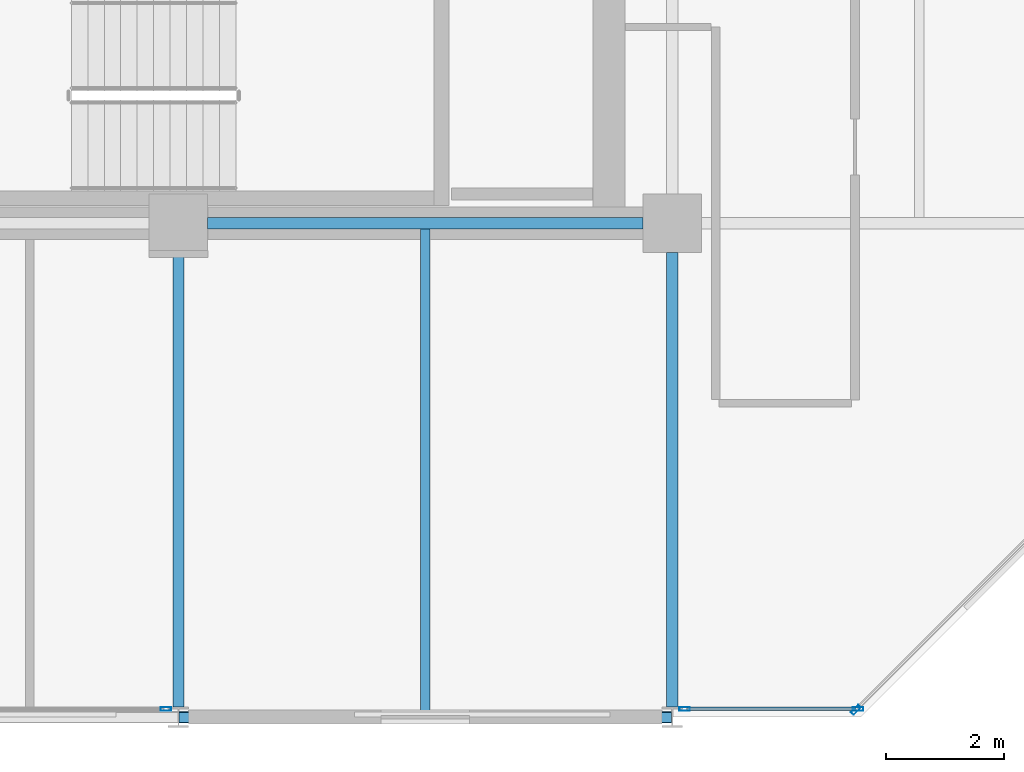
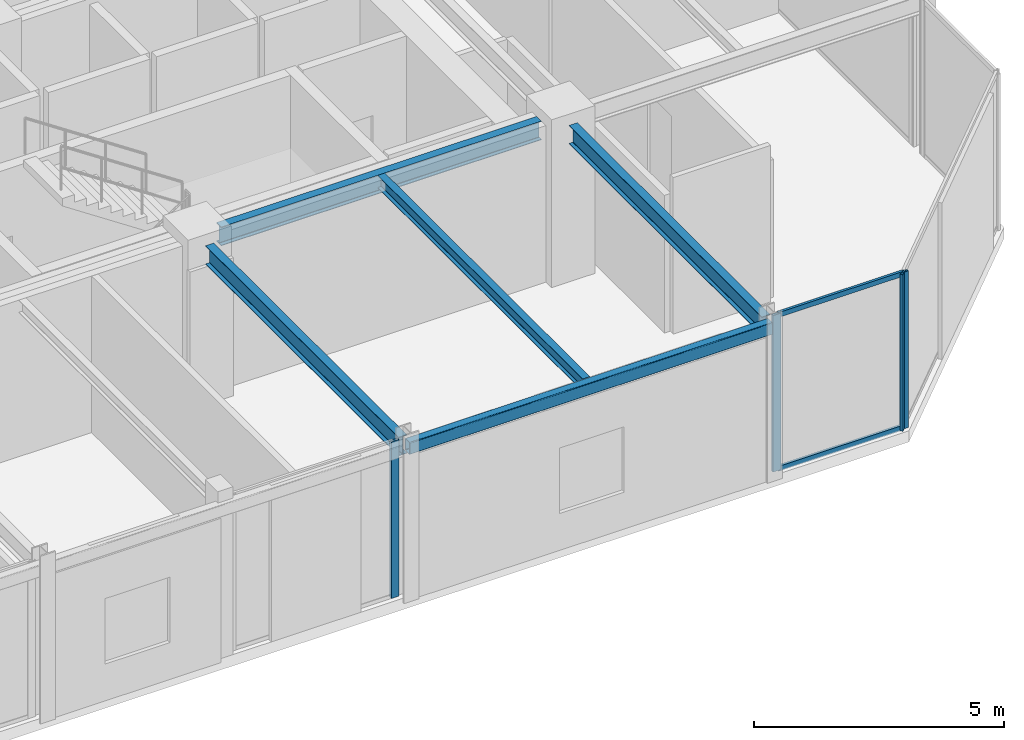
# One storey, part 11 of 29: 6 members, 5 beams, 3 elements without a shape of their own.
"""IFC4 building model written with IfcOpenShell, lengths in metres."""

from ifc_helpers import new_model, si_unit, direction, frame, origin, origin_2d, place, context, subcontext, project, spatial, hollow_rectangle, i_section, extrude, material, layer, layer_set, material_profile, profile_set, type_object, element, aggregate, save


model = new_model("IFC4")

# Units and contexts
model_context = context("Model", 3, precision=1e-05, world=origin(), true_north=direction((0.0, 1.0)))
body_context = subcontext(model_context, "Body", "Model", "MODEL_VIEW")
ifc_project = project(units=[si_unit("LENGTHUNIT", "METRE"), si_unit("AREAUNIT", "SQUARE_METRE"), si_unit("VOLUMEUNIT", "CUBIC_METRE"), si_unit("PLANEANGLEUNIT", "RADIAN"), si_unit("MASSUNIT", "GRAM", prefix="KILO")], contexts=[model_context])

# Site, building, storey
site_placement = place(None, origin())
site = spatial("IfcSite", under=ifc_project, at=site_placement, CompositionType="ELEMENT")
building_placement = place(site_placement, origin())
building = spatial("IfcBuilding", under=site, at=building_placement, Name="Nerrivon Quay Data Exchange", CompositionType="ELEMENT")
storey_placement = place(building_placement, frame((0.0, 0.0, 212.39990234375)))
storey = spatial("IfcBuildingStorey", under=building, at=storey_placement, Name="L50", CompositionType="ELEMENT", Elevation=212.39990234375)

# Beams
ifc_material_1 = material(Name="Steel Grade 350", Category="steel")
ifc_material_profile_1 = material_profile(ifc_material_1, i_section(OverallWidth=0.19091796875, OverallDepth=0.4599609375, WebThickness=0.010009765625, FlangeThickness=0.01611328125, FilletRadius=0.011474609375, at=origin_2d()), Name="460UB82.1")
ifc_profile_set_1 = profile_set([ifc_material_profile_1], Name="Steel Grade 350")
beam_type_1 = type_object("IfcBeamType", Name="BM-G5-460UB82", PredefinedType="BEAM", material=ifc_profile_set_1)
beam_1_placement = place(storey_placement, frame((25.699951171875, 8.39990234375, 3.59521484375), z_axis=(1.0, 0.0, 0.0), x_axis=(0.0, 1.0, 0.0)))
element("IfcBeam", 1, at=beam_1_placement, inside=storey, type_object=beam_type_1, Name="L50 EW Girder Y=8.4 (25.2..33.6)", PredefinedType="BEAM", context=body_context, shape_type="SweptSolid", body=[
    extrude(i_section(OverallWidth=0.19091796875, OverallDepth=0.4599609375, WebThickness=0.010009765625, FlangeThickness=0.01611328125, FilletRadius=0.011474609375, at=origin_2d()), origin(), (0.0, 0.0, 1.0), 7.400146484375),
])
ifc_material_profile_2 = material_profile(ifc_material_1, i_section(OverallWidth=0.18994140625, OverallDepth=0.4541015625, WebThickness=0.008544921875, FlangeThickness=0.0126953125, FilletRadius=0.011474609375, at=origin_2d()), Name="460UB67.1")
ifc_profile_set_2 = profile_set([ifc_material_profile_2], Name="Steel Grade 350")
beam_type_2 = type_object("IfcBeamType", Name="BM-G6-460UB67", PredefinedType="BEAM", material=ifc_profile_set_2)
for number, where, z_axis, x_axis, name in (
    (2, (25.199951171875, 0.175048828125, 3.59814453125), (0.0, 1.0, 0.0), (-1.0, 0.0, 0.0), "L50 NS Girder X=25.2 (0.0..8.4)"),
    (3, (33.60009765625, 0.175048828125, 3.59814453125), (0.0, 1.0, 0.0), (-1.0, 0.0, 0.0), "L50 NS Girder X=33.6 (0.0..8.4)"),
):
    element("IfcBeam", number, at=place(storey_placement, frame(where, z_axis=z_axis, x_axis=x_axis)), inside=storey, type_object=beam_type_2, Name=name, PredefinedType="BEAM", context=body_context, shape_type="SweptSolid", body=[
        extrude(i_section(OverallWidth=0.18994140625, OverallDepth=0.4541015625, WebThickness=0.008544921875, FlangeThickness=0.0126953125, FilletRadius=0.011474609375, at=origin_2d()), origin(), (0.0, 0.0, 1.0), 7.724853515625),
    ])
ifc_material_profile_3 = material_profile(ifc_material_1, i_section(OverallWidth=0.166015625, OverallDepth=0.306884765625, WebThickness=0.006591796875, FlangeThickness=0.01171875, FilletRadius=0.011474609375, at=origin_2d()), Name="310UB46.2")
ifc_profile_set_3 = profile_set([ifc_material_profile_3], Name="Steel Grade 350")
beam_type_3 = type_object("IfcBeamType", Name="BM-J5-310UB46", PredefinedType="JOIST", material=ifc_profile_set_3)
beam_2_placement = place(storey_placement, frame((29.39990234375, 0.10009765625, 3.671630859375), z_axis=(0.0, 1.0, 0.0), x_axis=(-1.0, 0.0, 0.0)))
element("IfcBeam", 4, at=beam_2_placement, inside=storey, type_object=beam_type_3, Name="L50 Secondary Joist X=29.4 (0.0..8.4)", PredefinedType="JOIST", context=body_context, shape_type="SweptSolid", body=[
    extrude(i_section(OverallWidth=0.166015625, OverallDepth=0.306884765625, WebThickness=0.006591796875, FlangeThickness=0.01171875, FilletRadius=0.011474609375, at=origin_2d()), origin(), (0.0, 0.0, 1.0), 8.204345703125),
])
ifc_material_2 = material(Name="Steel Grade C350L0 (350 MPa)", Category="steel")
ifc_material_profile_4 = material_profile(ifc_material_2, hollow_rectangle(XDim=0.199951171875, YDim=0.300048828125, WallThickness=0.012451171875, InnerFilletRadius=0.018798828125, OuterFilletRadius=0.03125, at=origin_2d()), Name="300x200x12.5RHS")
ifc_profile_set_4 = profile_set([ifc_material_profile_4], Name="Steel Grade C350L0 (350 MPa)")
beam_type_4 = type_object("IfcBeamType", Name="BM-SP3-300x200RHS", PredefinedType="SPANDREL", material=ifc_profile_set_4)
beam_3_placement = place(storey_placement, frame((25.2099609375, 0.0, 3.675048828125), z_axis=(1.0, 0.0, 0.0), x_axis=(0.0, 1.0, 0.0)))
element("IfcBeam", 5, at=beam_3_placement, inside=storey, type_object=beam_type_4, Name="L50 EW Girder Y=0.0 (25.2..33.6)", PredefinedType="SPANDREL", context=body_context, shape_type="SweptSolid", body=[
    extrude(hollow_rectangle(XDim=0.199951171875, YDim=0.300048828125, WallThickness=0.012451171875, InnerFilletRadius=0.018798828125, OuterFilletRadius=0.03125, at=origin_2d()), origin(), (0.0, 0.0, 1.0), 8.380126953125),
])

# Curtain wall, member
ifc_material_3 = material(Name="Anodised aluminium 6063-T6", Category="aluminium")
ifc_layer = layer(ifc_material_3, 0.195068359375)
ifc_layer_set = layer_set([ifc_layer], Name="Anodised aluminium 6063-T6")
curtain_wall_type = type_object("IfcCurtainWallType", Name="CW-SYS-06", PredefinedType="NOTDEFINED", material=ifc_layer_set)
curtain_wall_1_placement = place(storey_placement, origin())
curtain_wall_1 = element("IfcCurtainWall", 6, at=curtain_wall_1_placement, inside=storey, type_object=curtain_wall_type, Name="L50 Unitised Curtain Wall 21", PredefinedType="NOTDEFINED")
ifc_material_profile_5 = material_profile(ifc_material_3, hollow_rectangle(XDim=0.06494140625, YDim=0.179931640625, WallThickness=0.00341796875, at=origin_2d()), Name="ALU-MULL-180x65")
ifc_profile_set_5 = profile_set([ifc_material_profile_5], Name="Anodised aluminium 6063-T6")
member_type_1 = type_object("IfcMemberType", Name="CWM-180x65", PredefinedType="MULLION", material=ifc_profile_set_5)
member_1_placement = place(storey_placement, frame((36.7275390625, 0.12548828125, 0.0), z_axis=(0.0, 0.0, 1.0), x_axis=(0.707106781187, -0.707106781187, 0.0)))
member_1 = element("IfcMember", 7, at=member_1_placement, type_object=member_type_1, Name="CW06 mullion 2", PredefinedType="MULLION", context=body_context, shape_type="SweptSolid", body=[
    extrude(hollow_rectangle(XDim=0.06494140625, YDim=0.179931640625, WallThickness=0.00341796875, at=origin_2d()), origin(), (0.0, 0.0, 1.0), 3.8251953125),
])
aggregate(curtain_wall_1, [member_1])

# Curtain wall, members
curtain_wall_2_placement = place(storey_placement, origin())
curtain_wall_2 = element("IfcCurtainWall", 8, at=curtain_wall_2_placement, inside=storey, type_object=curtain_wall_type, Name="L50 Unitised Curtain Wall 22", PredefinedType="NOTDEFINED")
member_2_placement = place(storey_placement, frame((36.762451171875, 0.139892578125, 0.0), z_axis=(0.0, 0.0, 1.0), x_axis=(0.0, -1.0, 0.0)))
member_2 = element("IfcMember", 9, at=member_2_placement, type_object=member_type_1, Name="CW06 mullion 1", PredefinedType="MULLION", context=body_context, shape_type="SweptSolid", body=[
    extrude(hollow_rectangle(XDim=0.06494140625, YDim=0.179931640625, WallThickness=0.00341796875, at=origin_2d()), origin(), (0.0, 0.0, 1.0), 3.8251953125),
])
member_3_placement = place(storey_placement, frame((33.8125, 0.139892578125, 0.0), z_axis=(0.0, 0.0, 1.0), x_axis=(0.0, -1.0, 0.0)))
member_3 = element("IfcMember", 10, at=member_3_placement, type_object=member_type_1, Name="CW06 mullion 2", PredefinedType="MULLION", context=body_context, shape_type="SweptSolid", body=[
    extrude(hollow_rectangle(XDim=0.06494140625, YDim=0.179931640625, WallThickness=0.00341796875, at=origin_2d()), origin(), (0.0, 0.0, 1.0), 3.8251953125),
])

# Curtain wall, member
curtain_wall_3_placement = place(storey_placement, origin())
curtain_wall_3 = element("IfcCurtainWall", 11, at=curtain_wall_3_placement, inside=storey, type_object=curtain_wall_type, Name="L50 Unitised Curtain Wall 24", PredefinedType="NOTDEFINED")
member_4_placement = place(storey_placement, frame((24.987548828125, 0.139892578125, 0.0), z_axis=(0.0, 0.0, 1.0), x_axis=(0.0, -1.0, 0.0)))
member_4 = element("IfcMember", 12, at=member_4_placement, type_object=member_type_1, Name="CW06 mullion 1", PredefinedType="MULLION", context=body_context, shape_type="SweptSolid", body=[
    extrude(hollow_rectangle(XDim=0.06494140625, YDim=0.179931640625, WallThickness=0.00341796875, at=origin_2d()), origin(), (0.0, 0.0, 1.0), 3.8251953125),
])
aggregate(curtain_wall_3, [member_4])

# Member
ifc_material_profile_6 = material_profile(ifc_material_3, hollow_rectangle(XDim=0.06005859375, YDim=0.1201171875, WallThickness=0.003173828125, at=origin_2d()), Name="ALU-TRAN-120x60")
ifc_profile_set_6 = profile_set([ifc_material_profile_6], Name="Anodised aluminium 6063-T6")
member_type_2 = type_object("IfcMemberType", Name="CWT-120x60", PredefinedType="USERDEFINED", material=ifc_profile_set_6)
member_5_placement = place(storey_placement, frame((36.72509765625, 0.139892578125, 0.03271484375), z_axis=(-1.0, 0.0, 0.0), x_axis=(0.0, -1.0, 0.0)))
member_5 = element("IfcMember", 13, at=member_5_placement, type_object=member_type_2, Name="CW06 transom 1.1", ObjectType="TRANSOM", PredefinedType="USERDEFINED", context=body_context, shape_type="SweptSolid", body=[
    extrude(hollow_rectangle(XDim=0.06005859375, YDim=0.1201171875, WallThickness=0.003173828125, at=origin_2d()), origin(), (0.0, 0.0, 1.0), 2.875),
])

member_6_placement = place(storey_placement, frame((36.72509765625, 0.139892578125, 3.79248046875), z_axis=(-1.0, 0.0, 0.0), x_axis=(0.0, -1.0, 0.0)))
member_6 = element("IfcMember", 14, at=member_6_placement, type_object=member_type_2, Name="CW06 transom 1.2", ObjectType="TRANSOM", PredefinedType="USERDEFINED", context=body_context, shape_type="SweptSolid", body=[
    extrude(hollow_rectangle(XDim=0.06005859375, YDim=0.1201171875, WallThickness=0.003173828125, at=origin_2d()), origin(), (0.0, 0.0, 1.0), 2.875),
])

aggregate(curtain_wall_2, [member_2, member_3, member_5, member_6])

save(model, "model.ifc")
